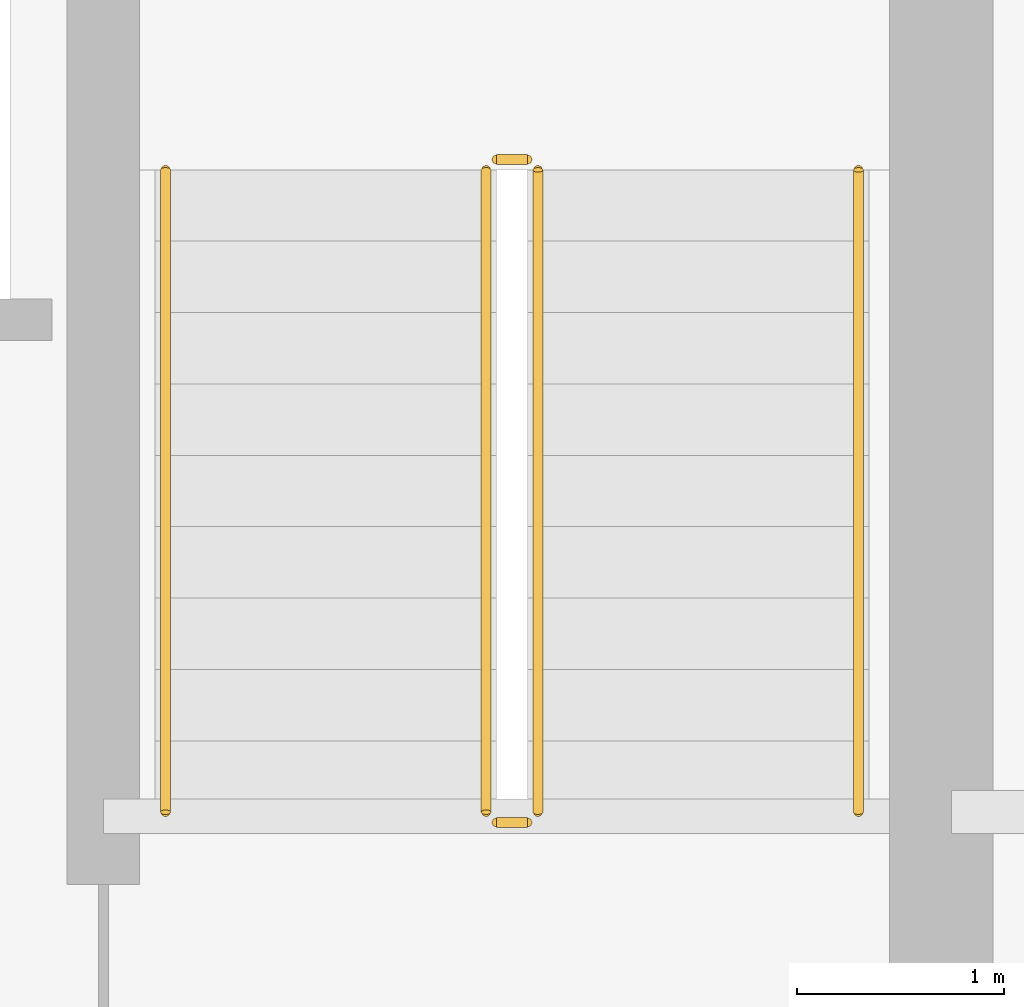
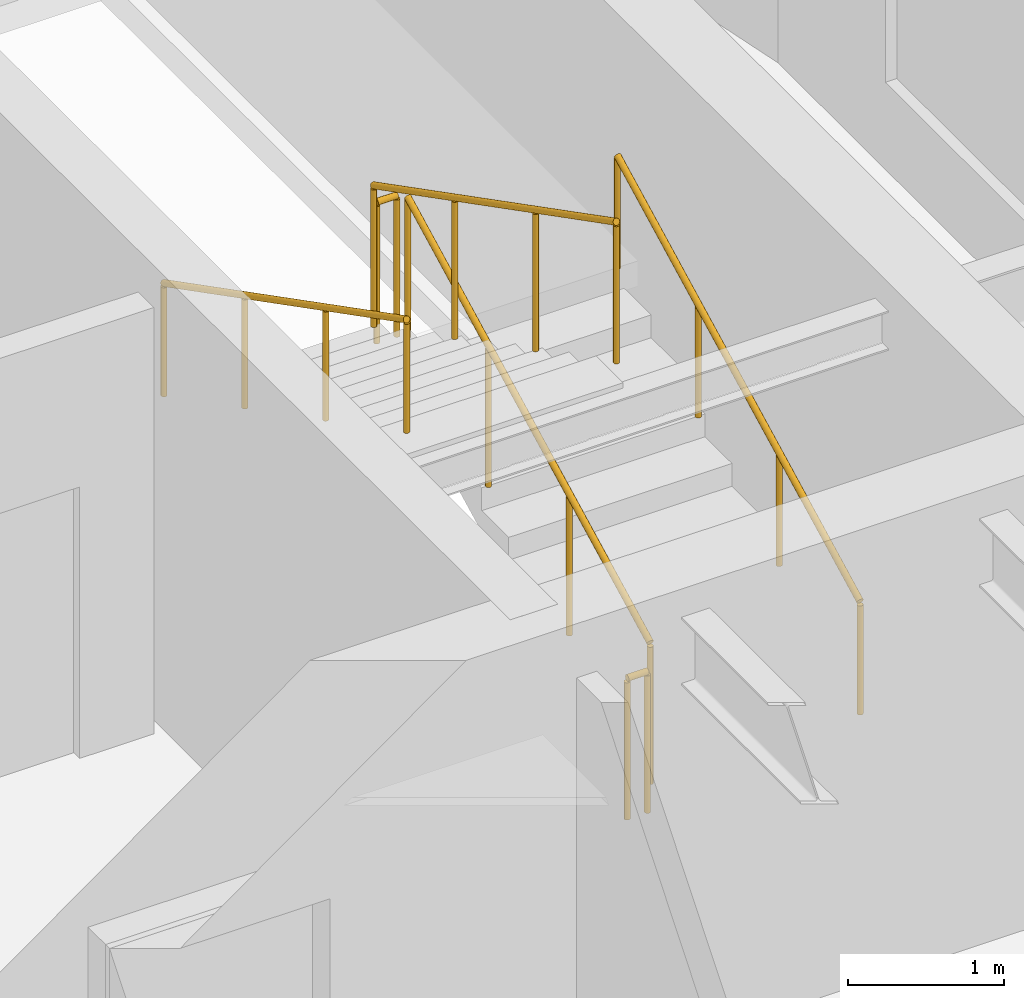
# One storey, part 12 of 12: 6 railings.
"""IFC4 building model written with IfcOpenShell, lengths in metres."""

from ifc_helpers import new_model, si_unit, direction, frame, origin, origin_2d, place, context, subcontext, project, spatial, circle, extrude, material, type_object, element, save


model = new_model("IFC4")

# Units and contexts
model_context = context("Model", 3, precision=1e-05, world=origin(), true_north=direction((0.0, 1.0)))
body_context = subcontext(model_context, "Body", "Model", "MODEL_VIEW")
ifc_project = project(units=[si_unit("LENGTHUNIT", "METRE"), si_unit("AREAUNIT", "SQUARE_METRE"), si_unit("VOLUMEUNIT", "CUBIC_METRE"), si_unit("PLANEANGLEUNIT", "RADIAN"), si_unit("MASSUNIT", "GRAM", prefix="KILO")], contexts=[model_context])

# Site, building, storey
site_placement = place(None, origin())
site = spatial("IfcSite", under=ifc_project, at=site_placement, CompositionType="ELEMENT")
building_placement = place(site_placement, origin())
building = spatial("IfcBuilding", under=site, at=building_placement, Name="Tolvann Quenvar Hotel", CompositionType="ELEMENT")
storey_placement = place(building_placement, frame((0.0, 0.0, 275.050048828125)))
storey = spatial("IfcBuildingStorey", under=building, at=storey_placement, Name="L73", CompositionType="ELEMENT", Elevation=275.050048828125)

# Railings
ifc_material = material(Name="Brushed 316 stainless steel balustrade and handrail", Category="steel")
railing_type_1 = type_object("IfcRailingType", Name="GUARDRAIL", PredefinedType="GUARDRAIL", material=ifc_material)
railing_1_placement = place(storey_placement, frame((33.800048828125, 34.0, 0.177490234375)))
element("IfcRailing", 1, at=railing_1_placement, inside=storey, type_object=railing_type_1, Name="L73 ST-C2 stair guard 1", PredefinedType="GUARDRAIL", context=body_context, shape_type="SweptSolid", body=[
    extrude(circle(Radius=0.02392578125, at=origin_2d()), frame((0.0, 0.0, 1.09619140625), z_axis=(0.0, 0.889221982265, 0.45747597342), x_axis=(-1.0, 0.0, 0.0)), (0.0, 0.0, 1.0), 3.49169921875),
    extrude(circle(Radius=0.02099609375, at=origin_2d()), origin(), (0.0, 0.0, 1.0), 1.072021484375),
    extrude(circle(Radius=0.02099609375, at=origin_2d()), frame((0.0, 1.034912109375, 0.532470703125)), (0.0, 0.0, 1.0), 1.072021484375),
    extrude(circle(Radius=0.02099609375, at=origin_2d()), frame((0.0, 2.070068359375, 1.06494140625)), (0.0, 0.0, 1.0), 1.072021484375),
    extrude(circle(Radius=0.02099609375, at=origin_2d()), frame((0.0, 3.10498046875, 1.597412109375)), (0.0, 0.0, 1.0), 1.072021484375),
])
railing_2_placement = place(storey_placement, frame((33.75, 37.155029296875, 1.77490234375)))
element("IfcRailing", 2, at=railing_2_placement, inside=storey, type_object=railing_type_1, Name="L73 ST-C2 stair guard 2", PredefinedType="GUARDRAIL", context=body_context, shape_type="SweptSolid", body=[
    extrude(circle(Radius=0.02392578125, at=origin_2d()), frame((0.0, 0.0, 1.09619140625), z_axis=(-1.0, 0.0, 0.0), x_axis=(0.0, -1.0, 0.0)), (0.0, 0.0, 1.0), 0.14990234375),
    extrude(circle(Radius=0.02099609375, at=origin_2d()), origin(), (0.0, 0.0, 1.0), 1.072021484375),
    extrude(circle(Radius=0.02099609375, at=origin_2d()), frame((-0.14990234375, 0.0, 0.0)), (0.0, 0.0, 1.0), 1.072021484375),
])
railing_3_placement = place(storey_placement, frame((33.550048828125, 37.10498046875, 1.952392578125)))
element("IfcRailing", 3, at=railing_3_placement, inside=storey, type_object=railing_type_1, Name="L73 ST-C2 stair guard 3", PredefinedType="GUARDRAIL", context=body_context, shape_type="SweptSolid", body=[
    extrude(circle(Radius=0.02392578125, at=origin_2d()), frame((0.0, 0.0, 1.09619140625), z_axis=(0.0, -0.88919353882, 0.457531256332), x_axis=(1.0, 0.0, 0.0)), (0.0, 0.0, 1.0), 3.491943359375),
    extrude(circle(Radius=0.02099609375, at=origin_2d()), origin(), (0.0, 0.0, 1.0), 1.072021484375),
    extrude(circle(Radius=0.02099609375, at=origin_2d()), frame((0.0, -1.034912109375, 0.532470703125)), (0.0, 0.0, 1.0), 1.072021484375),
    extrude(circle(Radius=0.02099609375, at=origin_2d()), frame((0.0, -2.070068359375, 1.065185546875)), (0.0, 0.0, 1.0), 1.072021484375),
    extrude(circle(Radius=0.02099609375, at=origin_2d()), frame((0.0, -3.10498046875, 1.59765625)), (0.0, 0.0, 1.0), 1.072021484375),
])
railing_4_placement = place(storey_placement, frame((33.75, 33.949951171875, 0.0)))
element("IfcRailing", 4, at=railing_4_placement, inside=storey, type_object=railing_type_1, Name="L73 ST-C2 stair guard 4", PredefinedType="GUARDRAIL", context=body_context, shape_type="SweptSolid", body=[
    extrude(circle(Radius=0.02392578125, at=origin_2d()), frame((0.0, 0.0, 1.09619140625), z_axis=(-1.0, 0.0, 0.0), x_axis=(0.0, -1.0, 0.0)), (0.0, 0.0, 1.0), 0.14990234375),
    extrude(circle(Radius=0.02099609375, at=origin_2d()), origin(), (0.0, 0.0, 1.0), 1.072021484375),
    extrude(circle(Radius=0.02099609375, at=origin_2d()), frame((-0.14990234375, 0.0, 0.0)), (0.0, 0.0, 1.0), 1.072021484375),
])
railing_type_2 = type_object("IfcRailingType", Name="HANDRAIL", PredefinedType="HANDRAIL", material=ifc_material)
railing_5_placement = place(storey_placement, frame((35.35009765625, 34.0, 0.177490234375)))
element("IfcRailing", 5, at=railing_5_placement, inside=storey, type_object=railing_type_2, Name="L73 ST-C2 stair handrail 1", PredefinedType="HANDRAIL", context=body_context, shape_type="SweptSolid", body=[
    extrude(circle(Radius=0.02392578125, at=origin_2d()), frame((0.0, 0.0, 0.8759765625), z_axis=(0.0, 0.889221982265, 0.45747597342), x_axis=(-1.0, 0.0, 0.0)), (0.0, 0.0, 1.0), 3.49169921875),
    extrude(circle(Radius=0.02099609375, at=origin_2d()), origin(), (0.0, 0.0, 1.0), 0.851806640625),
    extrude(circle(Radius=0.02099609375, at=origin_2d()), frame((0.0, 1.034912109375, 0.532470703125)), (0.0, 0.0, 1.0), 0.851806640625),
    extrude(circle(Radius=0.02099609375, at=origin_2d()), frame((0.0, 2.070068359375, 1.06494140625)), (0.0, 0.0, 1.0), 0.851806640625),
    extrude(circle(Radius=0.02099609375, at=origin_2d()), frame((0.0, 3.10498046875, 1.597412109375)), (0.0, 0.0, 1.0), 0.851806640625),
])
railing_6_placement = place(storey_placement, frame((32.0, 37.10498046875, 1.952392578125)))
element("IfcRailing", 6, at=railing_6_placement, inside=storey, type_object=railing_type_2, Name="L73 ST-C2 stair handrail 2", PredefinedType="HANDRAIL", context=body_context, shape_type="SweptSolid", body=[
    extrude(circle(Radius=0.02392578125, at=origin_2d()), frame((0.0, 0.0, 0.8759765625), z_axis=(0.0, -0.88919353882, 0.457531256332), x_axis=(1.0, 0.0, 0.0)), (0.0, 0.0, 1.0), 3.491943359375),
    extrude(circle(Radius=0.02099609375, at=origin_2d()), origin(), (0.0, 0.0, 1.0), 0.851806640625),
    extrude(circle(Radius=0.02099609375, at=origin_2d()), frame((0.0, -1.034912109375, 0.532470703125)), (0.0, 0.0, 1.0), 0.851806640625),
    extrude(circle(Radius=0.02099609375, at=origin_2d()), frame((0.0, -2.070068359375, 1.065185546875)), (0.0, 0.0, 1.0), 0.851806640625),
    extrude(circle(Radius=0.02099609375, at=origin_2d()), frame((0.0, -3.10498046875, 1.59765625)), (0.0, 0.0, 1.0), 0.851806640625),
])

save(model, "model.ifc")
